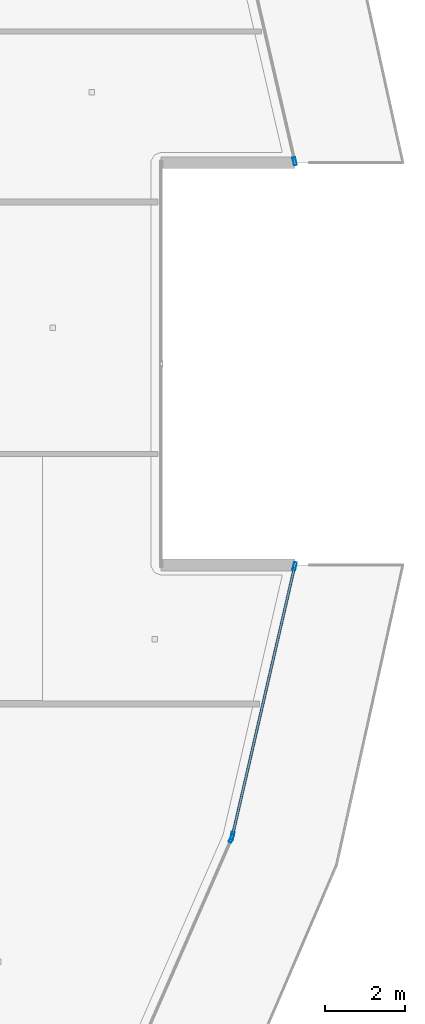
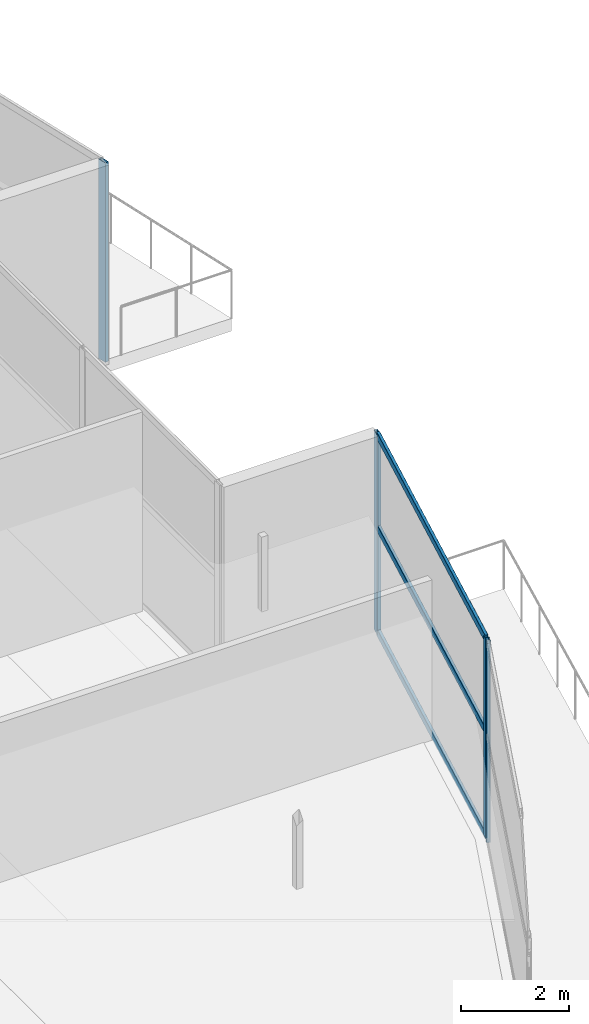
# One storey, part 22 of 42: 7 members, 3 elements without a shape of their own.
"""IFC4 building model written with IfcOpenShell, lengths in metres."""

from ifc_helpers import new_model, si_unit, direction, frame, origin, origin_2d, place, context, subcontext, project, spatial, hollow_rectangle, extrude, material, layer, layer_set, material_profile, profile_set, type_object, element, aggregate, save


model = new_model("IFC4")

# Units and contexts
model_context = context("Model", 3, precision=1e-05, world=origin(), true_north=direction((0.0, 1.0)))
body_context = subcontext(model_context, "Body", "Model", "MODEL_VIEW")
ifc_project = project(units=[si_unit("LENGTHUNIT", "METRE"), si_unit("AREAUNIT", "SQUARE_METRE"), si_unit("VOLUMEUNIT", "CUBIC_METRE"), si_unit("PLANEANGLEUNIT", "RADIAN"), si_unit("MASSUNIT", "GRAM", prefix="KILO")], contexts=[model_context])

# Site, building, storey
site_placement = place(None, origin())
site = spatial("IfcSite", under=ifc_project, at=site_placement, CompositionType="ELEMENT")
building_placement = place(site_placement, origin())
building = spatial("IfcBuilding", under=site, at=building_placement, Name="Qorvath Tower", CompositionType="ELEMENT")
storey_placement = place(building_placement, frame((0.0, 0.0, 105.0)))
storey = spatial("IfcBuildingStorey", under=building, at=storey_placement, Name="L23", CompositionType="ELEMENT", Elevation=105.0)

# Curtain wall, member
ifc_material_1 = material(Name="Anodised aluminium and triple low-E glass", Category="aluminium")
ifc_layer = layer(ifc_material_1, 0.179931640625)
ifc_layer_set = layer_set([ifc_layer], Name="CW-SYS-5")
curtain_wall_type = type_object("IfcCurtainWallType", Name="CW-SYS-5", PredefinedType="NOTDEFINED", material=ifc_layer_set)
curtain_wall_1_placement = place(storey_placement, origin())
curtain_wall_1 = element("IfcCurtainWall", 1, at=curtain_wall_1_placement, inside=storey, type_object=curtain_wall_type, Name="Curtain Wall CW-5 CW-T-L23-6.1", PredefinedType="NOTDEFINED")
ifc_material_2 = material(Name="Anodised aluminium 6063-T6", Category="aluminium")
ifc_material_profile_1 = material_profile(ifc_material_2, hollow_rectangle(XDim=0.074951171875, YDim=0.199951171875, WallThickness=0.00390625, InnerFilletRadius=0.00390625, OuterFilletRadius=0.008056640625, at=origin_2d()), Name="CWM 200x75")
ifc_profile_set_1 = profile_set([ifc_material_profile_1], Name="Anodised aluminium 6063-T6")
member_type_1 = type_object("IfcMemberType", Name="CWM-200", PredefinedType="MULLION", material=ifc_profile_set_1)
member_1_placement = place(storey_placement, frame((3.681640625, -11.942138671875, 0.0), z_axis=(0.0, 0.0, 1.0), x_axis=(-0.91585067731, 0.401519036748, 0.0)))
member_1 = element("IfcMember", 2, at=member_1_placement, type_object=member_type_1, Name="CW-5 mullion 2", PredefinedType="MULLION", context=body_context, shape_type="SweptSolid", body=[
    extrude(hollow_rectangle(XDim=0.074951171875, YDim=0.199951171875, WallThickness=0.00390625, InnerFilletRadius=0.00390625, OuterFilletRadius=0.008056640625, at=origin_2d()), origin(), (0.0, 0.0, 1.0), 4.52001953125),
])
aggregate(curtain_wall_1, [member_1])

# Curtain wall, members
curtain_wall_2_placement = place(storey_placement, origin())
curtain_wall_2 = element("IfcCurtainWall", 3, at=curtain_wall_2_placement, inside=storey, type_object=curtain_wall_type, Name="Curtain Wall CW-5 CW-T-L23-7.1", PredefinedType="NOTDEFINED")
member_2_placement = place(storey_placement, frame((3.705322265625, -11.87109375, 0.0), z_axis=(0.0, 0.0, 1.0), x_axis=(-0.974339173469, 0.225084817443, 0.0)))
member_2 = element("IfcMember", 4, at=member_2_placement, type_object=member_type_1, Name="CW-5 mullion 1", PredefinedType="MULLION", context=body_context, shape_type="SweptSolid", body=[
    extrude(hollow_rectangle(XDim=0.074951171875, YDim=0.199951171875, WallThickness=0.00390625, InnerFilletRadius=0.00390625, OuterFilletRadius=0.008056640625, at=origin_2d()), origin(), (0.0, 0.0, 1.0), 4.52001953125),
])
member_3_placement = place(storey_placement, frame((5.271484375, -5.0908203125, 0.0), z_axis=(0.0, 0.0, 1.0), x_axis=(-0.974339173469, 0.225084817443, 0.0)))
member_3 = element("IfcMember", 5, at=member_3_placement, type_object=member_type_1, Name="CW-5 mullion 2", PredefinedType="MULLION", context=body_context, shape_type="SweptSolid", body=[
    extrude(hollow_rectangle(XDim=0.074951171875, YDim=0.199951171875, WallThickness=0.00390625, InnerFilletRadius=0.00390625, OuterFilletRadius=0.008056640625, at=origin_2d()), origin(), (0.0, 0.0, 1.0), 4.52001953125),
])

# Curtain wall, member
curtain_wall_3_placement = place(storey_placement, origin())
curtain_wall_3 = element("IfcCurtainWall", 6, at=curtain_wall_3_placement, inside=storey, type_object=curtain_wall_type, Name="Curtain Wall CW-5 CW-T-L23-11.1", PredefinedType="NOTDEFINED")
member_4_placement = place(storey_placement, frame((5.271484375, 5.0908203125, 0.0), z_axis=(0.0, 0.0, 1.0), x_axis=(-0.974339173469, -0.225084817443, 0.0)))
member_4 = element("IfcMember", 7, at=member_4_placement, type_object=member_type_1, Name="CW-5 mullion 1", PredefinedType="MULLION", context=body_context, shape_type="SweptSolid", body=[
    extrude(hollow_rectangle(XDim=0.074951171875, YDim=0.199951171875, WallThickness=0.00390625, InnerFilletRadius=0.00390625, OuterFilletRadius=0.008056640625, at=origin_2d()), origin(), (0.0, 0.0, 1.0), 4.52001953125),
])
aggregate(curtain_wall_3, [member_4])

# Member
ifc_material_3 = material(Name="Anodised aluminium 6063-T6", Category="aluminium")
ifc_material_profile_2 = material_profile(ifc_material_3, hollow_rectangle(XDim=0.06494140625, YDim=0.159912109375, WallThickness=0.00341796875, InnerFilletRadius=0.00341796875, OuterFilletRadius=0.007080078125, at=origin_2d()), Name="CWT 160x65")
ifc_profile_set_2 = profile_set([ifc_material_profile_2], Name="Anodised aluminium 6063-T6")
member_type_2 = type_object("IfcMemberType", Name="CWT-160", PredefinedType="USERDEFINED", material=ifc_profile_set_2)
member_5_placement = place(storey_placement, frame((3.713623046875, -11.834716796875, 0.032470703125), z_axis=(0.22509779442, 0.97433617553, 0.0), x_axis=(-0.97433617553, 0.22509779442, 0.0)))
member_5 = element("IfcMember", 8, at=member_5_placement, type_object=member_type_2, Name="CW-5 transom 1.1", ObjectType="TRANSOM", PredefinedType="USERDEFINED", context=body_context, shape_type="SweptSolid", body=[
    extrude(hollow_rectangle(XDim=0.06494140625, YDim=0.159912109375, WallThickness=0.00341796875, InnerFilletRadius=0.00341796875, OuterFilletRadius=0.007080078125, at=origin_2d()), origin(), (0.0, 0.0, 1.0), 6.884033203125),
])

member_6_placement = place(storey_placement, frame((3.713623046875, -11.834716796875, 2.39990234375), z_axis=(0.22509779442, 0.97433617553, 0.0), x_axis=(-0.97433617553, 0.22509779442, 0.0)))
member_6 = element("IfcMember", 9, at=member_6_placement, type_object=member_type_2, Name="CW-5 transom 1.2", ObjectType="TRANSOM", PredefinedType="USERDEFINED", context=body_context, shape_type="SweptSolid", body=[
    extrude(hollow_rectangle(XDim=0.06494140625, YDim=0.159912109375, WallThickness=0.00341796875, InnerFilletRadius=0.00341796875, OuterFilletRadius=0.007080078125, at=origin_2d()), origin(), (0.0, 0.0, 1.0), 6.884033203125),
])

member_7_placement = place(storey_placement, frame((3.713623046875, -11.834716796875, 4.487548828125), z_axis=(0.22509779442, 0.97433617553, 0.0), x_axis=(-0.97433617553, 0.22509779442, 0.0)))
member_7 = element("IfcMember", 10, at=member_7_placement, type_object=member_type_2, Name="CW-5 transom 1.3", ObjectType="TRANSOM", PredefinedType="USERDEFINED", context=body_context, shape_type="SweptSolid", body=[
    extrude(hollow_rectangle(XDim=0.06494140625, YDim=0.159912109375, WallThickness=0.00341796875, InnerFilletRadius=0.00341796875, OuterFilletRadius=0.007080078125, at=origin_2d()), origin(), (0.0, 0.0, 1.0), 6.884033203125),
])

aggregate(curtain_wall_2, [member_2, member_3, member_5, member_6, member_7])

save(model, "model.ifc")
